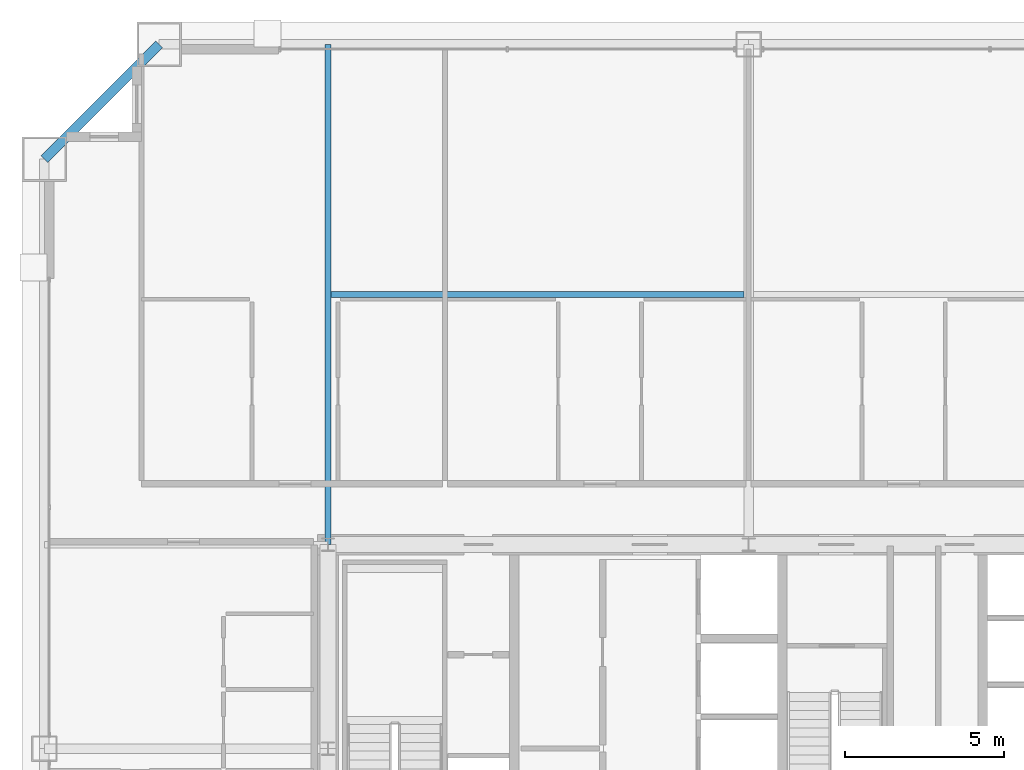
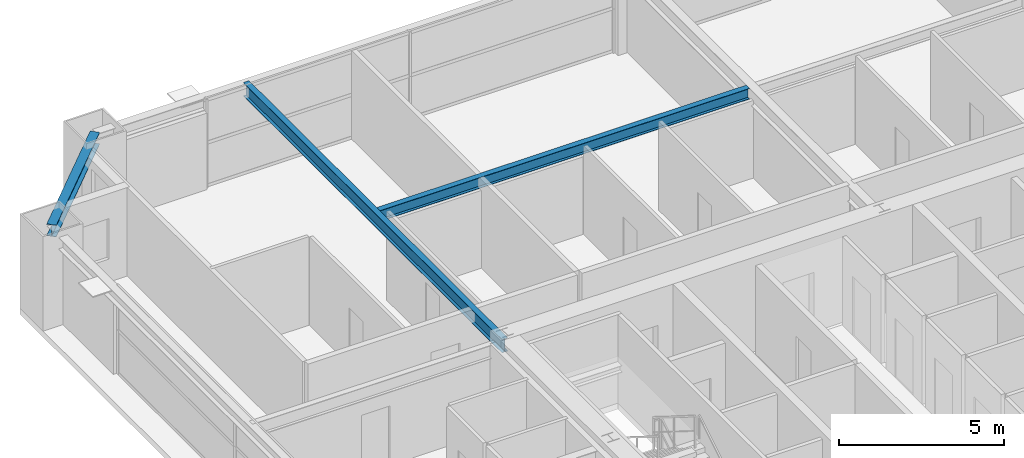
# One storey, part 24 of 38: 3 beams.
"""IFC4 building model written with IfcOpenShell, lengths in metres."""

from ifc_helpers import new_model, si_unit, direction, frame, origin, origin_2d, place, context, subcontext, project, spatial, i_section, extrude, source, transform, mapped, material, material_profile, profile_set, type_object, element, save


model = new_model("IFC4")

# Units and contexts
model_context = context("Model", 3, precision=1e-05, world=origin(), true_north=direction((0.0, 1.0)))
body_context = subcontext(model_context, "Body", "Model", "MODEL_VIEW")
ifc_project = project(units=[si_unit("LENGTHUNIT", "METRE"), si_unit("AREAUNIT", "SQUARE_METRE"), si_unit("VOLUMEUNIT", "CUBIC_METRE"), si_unit("PLANEANGLEUNIT", "RADIAN"), si_unit("MASSUNIT", "GRAM", prefix="KILO"), si_unit("THERMODYNAMICTEMPERATUREUNIT", "KELVIN"), si_unit("POWERUNIT", "WATT")], contexts=[model_context])

# Site, building, storey
site_placement = place(None, origin())
site = spatial("IfcSite", under=ifc_project, at=site_placement, CompositionType="ELEMENT")
building_placement = place(site_placement, origin())
building = spatial("IfcBuilding", under=site, at=building_placement, Name="Yuzanri Waterfront Tower", CompositionType="ELEMENT")
storey_placement = place(building_placement, frame((0.0, 0.0, 181.0)))
storey = spatial("IfcBuildingStorey", under=building, at=storey_placement, Name="L47", CompositionType="ELEMENT", Elevation=181.0)

# Beams
ifc_material_1 = material(Name="Steel Q355B", Category="steel")
ifc_material_profile_1 = material_profile(ifc_material_1, i_section(OverallWidth=0.199951171875, OverallDepth=0.39990234375, WebThickness=0.008056640625, FlangeThickness=0.012939453125, at=origin_2d()), Name="HN 400x200x8x13")
ifc_profile_set_1 = profile_set([ifc_material_profile_1], Name="Steel Q355B")
beam_type_1 = type_object("IfcBeamType", Name="Floor Joist Q355B HN 400x200", PredefinedType="JOIST", material=ifc_profile_set_1)
shared_shape_1 = source(origin(), body_context, "Body", "SweptSolid", [
    extrude(i_section(OverallWidth=0.199951171875, OverallDepth=0.39990234375, WebThickness=0.008056640625, FlangeThickness=0.012939453125, at=origin_2d()), origin(), (0.0, 0.0, 1.0), 12.9501953125),
])
beam_1_placement = place(storey_placement, frame((23.89990234375, 40.050048828125, 3.080078125), z_axis=(1.0, 0.0, 0.0), x_axis=(0.0, 1.0, 0.0)))
element("IfcBeam", 1, at=beam_1_placement, inside=storey, type_object=beam_type_1, Name="L47 North Bay Joist W", PredefinedType="JOIST", context=body_context, shape_type="MappedRepresentation", body=[
    mapped(shared_shape_1, transform((0.0, 0.0, 0.0), scale=1.0)),
])
ifc_material_2 = material(Name="Steel Q355B", Category="steel")
ifc_material_profile_2 = material_profile(ifc_material_2, i_section(OverallWidth=0.300048828125, OverallDepth=0.43994140625, WebThickness=0.010986328125, FlangeThickness=0.01806640625, at=origin_2d()), Name="HM 440x300x11x18")
ifc_profile_set_2 = profile_set([ifc_material_profile_2], Name="Steel Q355B")
beam_type_2 = type_object("IfcBeamType", Name="Perimeter Spandrel Q355B HM 440x300", PredefinedType="SPANDREL", material=ifc_profile_set_2)
shared_shape_2 = source(origin(), body_context, "Body", "SweptSolid", [
    extrude(i_section(OverallWidth=0.300048828125, OverallDepth=0.43994140625, WebThickness=0.010986328125, FlangeThickness=0.01806640625, at=origin_2d()), origin(), (0.0, 0.0, 1.0), 5.091064453125),
])
beam_2_placement = place(storey_placement, frame((18.5, 47.89990234375, 3.06005859375), z_axis=(-0.707130757816, -0.707082803744, 0.0), x_axis=(0.707082803744, -0.707130757816, 0.0)))
element("IfcBeam", 2, at=beam_2_placement, inside=storey, type_object=beam_type_2, Name="L47 Perimeter Spandrel N1-W3", PredefinedType="SPANDREL", context=body_context, shape_type="MappedRepresentation", body=[
    mapped(shared_shape_2, transform((0.0, 0.0, 0.0), scale=1.0)),
])
ifc_material_3 = material(Name="Steel Q355B", Category="steel")
ifc_material_profile_3 = material_profile(ifc_material_3, i_section(OverallWidth=0.199951171875, OverallDepth=0.5, WebThickness=0.010009765625, FlangeThickness=0.01611328125, at=origin_2d()), Name="HN 500x200x10x16")
ifc_profile_set_3 = profile_set([ifc_material_profile_3], Name="Steel Q355B")
beam_type_3 = type_object("IfcBeamType", Name="Secondary Floor Beam Q355B HN 500x200", PredefinedType="BEAM", material=ifc_profile_set_3)
shared_shape_3 = source(origin(), body_context, "Body", "SweptSolid", [
    extrude(i_section(OverallWidth=0.199951171875, OverallDepth=0.5, WebThickness=0.010009765625, FlangeThickness=0.01611328125, at=origin_2d()), origin(), (0.0, 0.0, 1.0), 15.699951171875),
])
beam_3_placement = place(storey_placement, frame((23.800048828125, 32.199951171875, 3.030029296875), z_axis=(0.0, 1.0, 0.0), x_axis=(-1.0, 0.0, 0.0)))
element("IfcBeam", 3, at=beam_3_placement, inside=storey, type_object=beam_type_3, Name="L47 North-West Core Line Beam", PredefinedType="BEAM", context=body_context, shape_type="MappedRepresentation", body=[
    mapped(shared_shape_3, transform((0.0, 0.0, 0.0), scale=1.0)),
])

save(model, "model.ifc")
